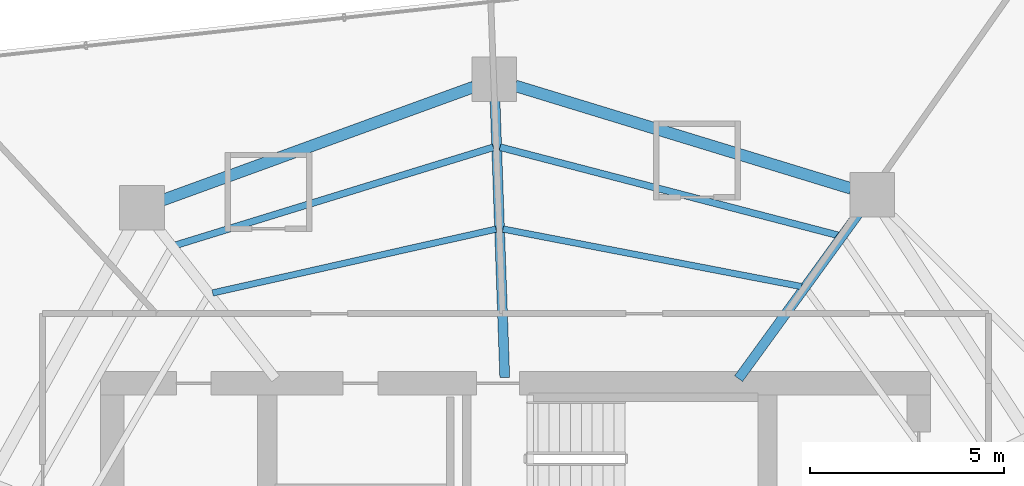
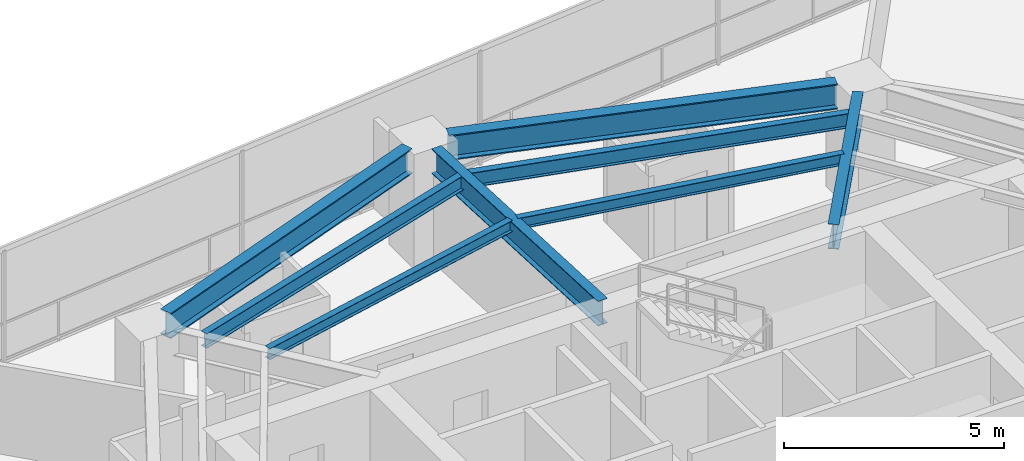
# One storey, part 17 of 30: 8 beams.
"""IFC4 building model written with IfcOpenShell, lengths in metres."""

from ifc_helpers import new_model, si_unit, direction, frame, origin, origin_2d, place, context, subcontext, project, spatial, i_section, extrude, material, material_profile, profile_set, type_object, element, save


model = new_model("IFC4")

# Units and contexts
model_context = context("Model", 3, precision=1e-05, world=origin(), true_north=direction((0.0, 1.0)))
body_context = subcontext(model_context, "Body", "Model", "MODEL_VIEW")
ifc_project = project(units=[si_unit("LENGTHUNIT", "METRE"), si_unit("AREAUNIT", "SQUARE_METRE"), si_unit("VOLUMEUNIT", "CUBIC_METRE"), si_unit("PLANEANGLEUNIT", "RADIAN"), si_unit("MASSUNIT", "GRAM", prefix="KILO")], contexts=[model_context])

# Site, building, storey
site_placement = place(None, origin())
site = spatial("IfcSite", under=ifc_project, at=site_placement, CompositionType="ELEMENT")
building_placement = place(site_placement, origin())
building = spatial("IfcBuilding", under=site, at=building_placement, Name="Qarnah Convention Tower", CompositionType="ELEMENT")
storey_placement = place(building_placement, frame((0.0, 0.0, 90.14990234375)))
storey = spatial("IfcBuildingStorey", under=building, at=storey_placement, Name="L23", CompositionType="ELEMENT", Elevation=90.14990234375)

# Beams
ifc_material = material(Name="Structural steel S355JR", Category="steel")
ifc_material_profile_1 = material_profile(ifc_material, i_section(OverallWidth=0.166015625, OverallDepth=0.31201171875, WebThickness=0.007080078125, FlangeThickness=0.010986328125, at=origin_2d()), Name="W310X45")
ifc_profile_set_1 = profile_set([ifc_material_profile_1], Name="Structural steel S355JR")
beam_type_1 = type_object("IfcBeamType", Name="BM-JST-W310", PredefinedType="JOIST", material=ifc_profile_set_1)
beam_1_placement = place(storey_placement, frame((44.580078125, 36.696044921875, 3.01416015625), z_axis=(-0.981928237513, 0.189253629755, 0.0), x_axis=(-0.189253629755, -0.981928237513, 0.0)))
element("IfcBeam", 1, at=beam_1_placement, inside=storey, type_object=beam_type_1, Name="L23 joist BM-L23-IJST-02", PredefinedType="JOIST", context=body_context, shape_type="SweptSolid", body=[
    extrude(i_section(OverallWidth=0.166015625, OverallDepth=0.31201171875, WebThickness=0.007080078125, FlangeThickness=0.010986328125, at=origin_2d()), origin(), (0.0, 0.0, 1.0), 7.845947265625),
])
beam_2_placement = place(storey_placement, frame((36.699951171875, 38.177978515625, 3.01416015625), z_axis=(-0.97555915594, -0.219736963805, 0.0), x_axis=(0.219736963805, -0.97555915594, 0.0)))
element("IfcBeam", 2, at=beam_2_placement, inside=storey, type_object=beam_type_1, Name="L23 joist BM-L23-IJST-03", PredefinedType="JOIST", context=body_context, shape_type="SweptSolid", body=[
    extrude(i_section(OverallWidth=0.166015625, OverallDepth=0.31201171875, WebThickness=0.007080078125, FlangeThickness=0.010986328125, at=origin_2d()), origin(), (0.0, 0.0, 1.0), 7.4951171875),
])
ifc_material_profile_2 = material_profile(ifc_material, i_section(OverallWidth=0.177978515625, OverallDepth=0.407958984375, WebThickness=0.008056640625, FlangeThickness=0.012939453125, at=origin_2d()), Name="W410X60")
ifc_profile_set_2 = profile_set([ifc_material_profile_2], Name="Structural steel S355JR")
beam_type_2 = type_object("IfcBeamType", Name="BM-JST-W410", PredefinedType="JOIST", material=ifc_profile_set_2)
beam_3_placement = place(storey_placement, frame((45.534912109375, 38.014892578125, 2.966064453125), z_axis=(-0.967652594239, 0.252286457944, 0.0), x_axis=(-0.252286457944, -0.967652594239, 0.0)))
element("IfcBeam", 3, at=beam_3_placement, inside=storey, type_object=beam_type_2, Name="L23 joist BM-L23-SJST-02", PredefinedType="JOIST", context=body_context, shape_type="SweptSolid", body=[
    extrude(i_section(OverallWidth=0.177978515625, OverallDepth=0.407958984375, WebThickness=0.008056640625, FlangeThickness=0.012939453125, at=origin_2d()), origin(), (0.0, 0.0, 1.0), 9.02587890625),
])
beam_4_placement = place(storey_placement, frame((36.6279296875, 40.2880859375, 2.966064453125), z_axis=(-0.955658935574, -0.294475803519, 0.0), x_axis=(0.294475803519, -0.955658935574, 0.0)))
element("IfcBeam", 4, at=beam_4_placement, inside=storey, type_object=beam_type_2, Name="L23 joist BM-L23-SJST-03", PredefinedType="JOIST", context=body_context, shape_type="SweptSolid", body=[
    extrude(i_section(OverallWidth=0.177978515625, OverallDepth=0.407958984375, WebThickness=0.008056640625, FlangeThickness=0.012939453125, at=origin_2d()), origin(), (0.0, 0.0, 1.0), 8.578369140625),
])
ifc_material_profile_3 = material_profile(ifc_material, i_section(OverallWidth=0.25390625, OverallDepth=0.68798828125, WebThickness=0.012939453125, FlangeThickness=0.02099609375, at=origin_2d()), Name="W690X152")
ifc_profile_set_3 = profile_set([ifc_material_profile_3], Name="Structural steel S355JR")
beam_type_3 = type_object("IfcBeamType", Name="BM-RAD-W690", PredefinedType="BEAM", material=ifc_profile_set_3)
beam_5_placement = place(storey_placement, frame((42.955078125, 34.321044921875, 2.826171875), z_axis=(0.587824069471, 0.808988790621, 0.0), x_axis=(-0.808988790621, 0.587824069471, 0.0)))
element("IfcBeam", 5, at=beam_5_placement, inside=storey, type_object=beam_type_3, Name="L23 beam BM-L23-RAD-02", PredefinedType="BEAM", context=body_context, shape_type="SweptSolid", body=[
    extrude(i_section(OverallWidth=0.25390625, OverallDepth=0.68798828125, WebThickness=0.012939453125, FlangeThickness=0.02099609375, at=origin_2d()), origin(), (0.0, 0.0, 1.0), 5.30419921875),
])
beam_6_placement = place(storey_placement, frame((36.923095703125, 34.35009765625, 2.826171875), z_axis=(-0.035017005912, 0.99938671659, 0.0), x_axis=(-0.99938671659, -0.035017005912, 0.0)))
element("IfcBeam", 6, at=beam_6_placement, inside=storey, type_object=beam_type_3, Name="L23 beam BM-L23-RAD-03", PredefinedType="BEAM", context=body_context, shape_type="SweptSolid", body=[
    extrude(i_section(OverallWidth=0.25390625, OverallDepth=0.68798828125, WebThickness=0.012939453125, FlangeThickness=0.02099609375, at=origin_2d()), origin(), (0.0, 0.0, 1.0), 7.139404296875),
])
ifc_material_profile_4 = material_profile(ifc_material, i_section(OverallWidth=0.300048828125, OverallDepth=0.699951171875, WebThickness=0.01708984375, FlangeThickness=0.031982421875, at=origin_2d()), Name="HEB700")
ifc_profile_set_4 = profile_set([ifc_material_profile_4], Name="Structural steel S355JR")
beam_type_4 = type_object("IfcBeamType", Name="BM-RING-HEB700", PredefinedType="BEAM", material=ifc_profile_set_4)
beam_7_placement = place(storey_placement, frame((45.85888671875, 39.22607421875, 2.820068359375), z_axis=(-0.956309936148, 0.292354760565, 0.0), x_axis=(-0.292354760565, -0.956309936148, 0.0)))
element("IfcBeam", 7, at=beam_7_placement, inside=storey, type_object=beam_type_4, Name="L23 beam BM-L23-SPN-02", PredefinedType="BEAM", context=body_context, shape_type="SweptSolid", body=[
    extrude(i_section(OverallWidth=0.300048828125, OverallDepth=0.699951171875, WebThickness=0.01708984375, FlangeThickness=0.031982421875, at=origin_2d()), origin(), (0.0, 0.0, 1.0), 9.060546875),
])
beam_8_placement = place(storey_placement, frame((36.123046875, 41.846923828125, 2.820068359375), z_axis=(-0.939683226771, -0.342045952067, 0.0), x_axis=(0.342045952067, -0.939683226771, 0.0)))
element("IfcBeam", 8, at=beam_8_placement, inside=storey, type_object=beam_type_4, Name="L23 beam BM-L23-SPN-03", PredefinedType="BEAM", context=body_context, shape_type="SweptSolid", body=[
    extrude(i_section(OverallWidth=0.300048828125, OverallDepth=0.699951171875, WebThickness=0.01708984375, FlangeThickness=0.031982421875, at=origin_2d()), origin(), (0.0, 0.0, 1.0), 8.542236328125),
])

save(model, "model.ifc")
